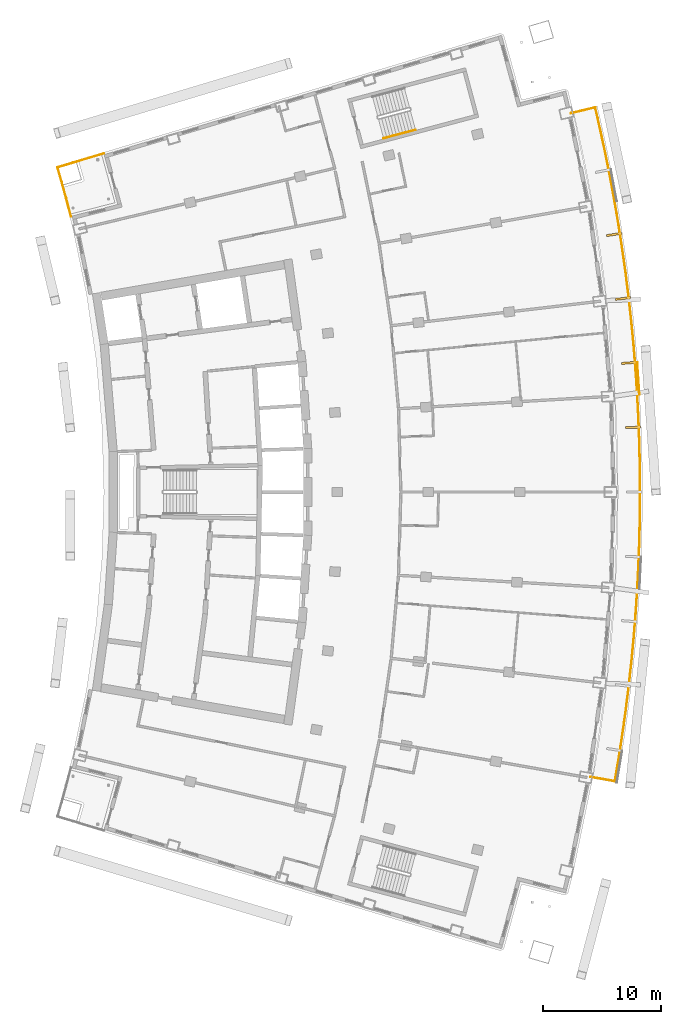
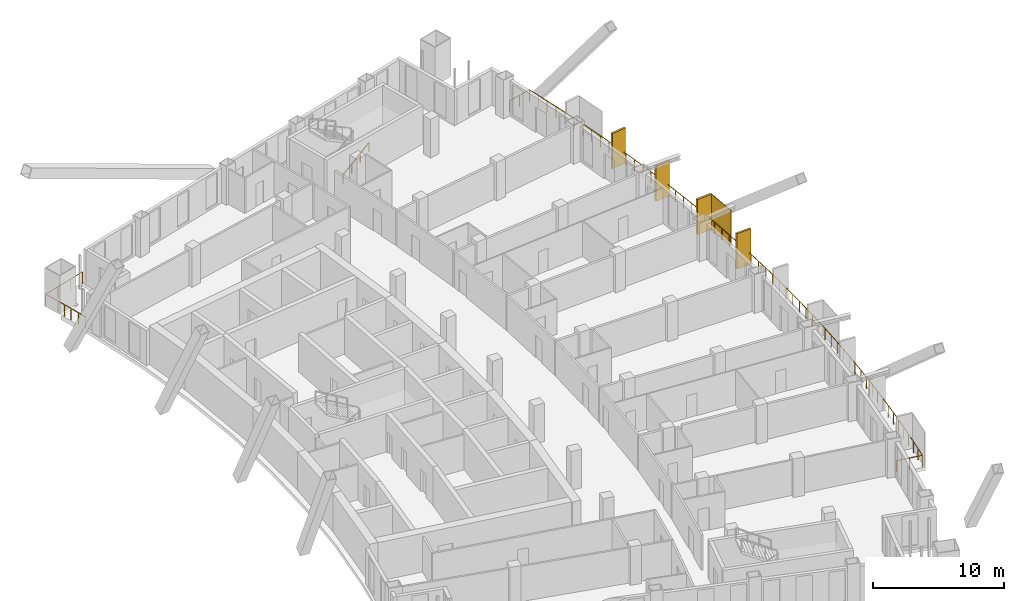
# One storey, part 18 of 19: 5 shading devices, 3 railings.
"""IFC4 building model written with IfcOpenShell, lengths in metres."""

from ifc_helpers import new_model, si_unit, direction, frame, origin, origin_2d, place, context, subcontext, project, spatial, rectangle, extrude, material, layer, layer_set, type_object, element, save


model = new_model("IFC4")

# Units and contexts
model_context = context("Model", 3, precision=1e-05, world=origin(), true_north=direction((0.0, 1.0)))
body_context = subcontext(model_context, "Body", "Model", "MODEL_VIEW")
ifc_project = project(units=[si_unit("LENGTHUNIT", "METRE"), si_unit("AREAUNIT", "SQUARE_METRE"), si_unit("VOLUMEUNIT", "CUBIC_METRE"), si_unit("PLANEANGLEUNIT", "RADIAN"), si_unit("MASSUNIT", "GRAM", prefix="KILO")], contexts=[model_context])

# Site, building, storey
site_placement = place(None, origin())
site = spatial("IfcSite", under=ifc_project, at=site_placement, CompositionType="ELEMENT")
building_placement = place(site_placement, origin())
building = spatial("IfcBuilding", under=site, at=building_placement, Name="Alderwake Tower", CompositionType="ELEMENT")
storey_placement = place(building_placement, frame((0.0, 0.0, 171.199951171875)))
storey = spatial("IfcBuildingStorey", under=building, at=storey_placement, Name="L42", CompositionType="ELEMENT", Elevation=171.199951171875)

# Railings
ifc_material_1 = material(Name="Stainless steel 316 rail and posts", Category="steel")
railing_type_1 = type_object("IfcRailingType", Name="Balcony guard 1100", PredefinedType="GUARDRAIL", material=ifc_material_1)
railing_1_placement = place(storey_placement, frame((57.2880859375, 36.826416015625, 0.0)))
element("IfcRailing", 1, at=railing_1_placement, inside=storey, type_object=railing_type_1, Name="Guard BF04", PredefinedType="GUARDRAIL", context=body_context, shape_type="SweptSolid", body=[
    extrude(rectangle(XDim=0.048095703125, YDim=0.048095703125, at=origin_2d()), frame((0.0, 0.0, 1.076171875), z_axis=(0.984840855066, -0.173460341844, 0.0), x_axis=(0.173460341844, 0.984840855066, 0.0)), (0.0, 0.0, 1.0), 2.099853515625),
    extrude(rectangle(XDim=0.048095703125, YDim=0.048095703125, at=origin_2d()), frame((2.068115234375, -0.3642578125, 1.076171875), z_axis=(0.166616540984, 0.98602176866, 0.0), x_axis=(-0.98602176866, 0.166616540984, 0.0)), (0.0, 0.0, 1.0), 1.96337890625),
    extrude(rectangle(XDim=0.048095703125, YDim=0.048095703125, at=origin_2d()), frame((2.395263671875, 1.57177734375, 1.076171875), z_axis=(0.152510602736, 0.988301834488, 0.0), x_axis=(-0.988301834488, 0.152510602736, 0.0)), (0.0, 0.0, 1.0), 2.0634765625),
    extrude(rectangle(XDim=0.048095703125, YDim=0.048095703125, at=origin_2d()), frame((2.7099609375, 3.611083984375, 1.076171875), z_axis=(0.13805839863, 0.99042409026, 0.0), x_axis=(-0.99042409026, 0.13805839863, 0.0)), (0.0, 0.0, 1.0), 2.063720703125),
    extrude(rectangle(XDim=0.048095703125, YDim=0.048095703125, at=origin_2d()), frame((2.994873046875, 5.655029296875, 1.076171875), z_axis=(0.123641547462, 0.992326945992, 0.0), x_axis=(-0.992326945992, 0.123641547462, 0.0)), (0.0, 0.0, 1.0), 2.0634765625),
    extrude(rectangle(XDim=0.048095703125, YDim=0.048095703125, at=origin_2d()), frame((3.25, 7.70263671875, 1.076171875), z_axis=(0.109197868393, 0.994020032765, 0.0), x_axis=(-0.994020032765, 0.109197868393, 0.0)), (0.0, 0.0, 1.0), 2.063720703125),
    extrude(rectangle(XDim=0.048095703125, YDim=0.048095703125, at=origin_2d()), frame((3.475341796875, 9.75390625, 1.076171875), z_axis=(0.094652754886, 0.995510349515, 0.0), x_axis=(-0.995510349515, 0.094652754886, 0.0)), (0.0, 0.0, 1.0), 2.0634765625),
    extrude(rectangle(XDim=0.048095703125, YDim=0.048095703125, at=origin_2d()), frame((3.670654296875, 11.80810546875, 1.076171875), z_axis=(0.08009789912, 0.996787001599, 0.0), x_axis=(-0.996787001599, 0.08009789912, 0.0)), (0.0, 0.0, 1.0), 2.0634765625),
    extrude(rectangle(XDim=0.048095703125, YDim=0.048095703125, at=origin_2d()), frame((3.8359375, 13.864990234375, 1.076171875), z_axis=(0.065545254579, 0.997849597686, 0.0), x_axis=(-0.997849597686, 0.065545254579, 0.0)), (0.0, 0.0, 1.0), 2.0634765625),
    extrude(rectangle(XDim=0.048095703125, YDim=0.048095703125, at=origin_2d()), frame((3.97119140625, 15.924072265625, 1.076171875), z_axis=(0.050993869739, 0.99869896628, 0.0), x_axis=(-0.99869896628, 0.050993869739, 0.0)), (0.0, 0.0, 1.0), 2.0634765625),
    extrude(rectangle(XDim=0.048095703125, YDim=0.048095703125, at=origin_2d()), frame((4.076416015625, 17.98486328125, 1.076171875), z_axis=(0.036438434606, 0.999335899727, 0.0), x_axis=(-0.999335899727, 0.036438434606, 0.0)), (0.0, 0.0, 1.0), 2.063720703125),
    extrude(rectangle(XDim=0.048095703125, YDim=0.048095703125, at=origin_2d()), frame((4.151611328125, 20.047119140625, 1.076171875), z_axis=(0.02200650366, 0.999757827575, 0.0), x_axis=(-0.999757827575, 0.02200650366, 0.0)), (0.0, 0.0, 1.0), 2.0634765625),
    extrude(rectangle(XDim=0.048095703125, YDim=0.048095703125, at=origin_2d()), frame((4.197021484375, 22.110107421875, 1.076171875), z_axis=(0.007217038732, 0.999973956837, 0.0), x_axis=(-0.999973956837, 0.007217038732, 0.0)), (0.0, 0.0, 1.0), 2.0634765625),
    extrude(rectangle(XDim=0.048095703125, YDim=0.048095703125, at=origin_2d()), frame((4.2119140625, 24.173583984375, 1.076171875), z_axis=(-0.007217038732, 0.999973956837, 0.0), x_axis=(-0.999973956837, -0.007217038732, 0.0)), (0.0, 0.0, 1.0), 2.0634765625),
    extrude(rectangle(XDim=0.048095703125, YDim=0.048095703125, at=origin_2d()), frame((4.197021484375, 26.237060546875, 1.076171875), z_axis=(-0.02200650366, 0.999757827575, 0.0), x_axis=(-0.999757827575, -0.02200650366, 0.0)), (0.0, 0.0, 1.0), 2.0634765625),
    extrude(rectangle(XDim=0.048095703125, YDim=0.048095703125, at=origin_2d()), frame((4.151611328125, 28.300048828125, 1.076171875), z_axis=(-0.036438434606, 0.999335899727, 0.0), x_axis=(-0.999335899727, -0.036438434606, 0.0)), (0.0, 0.0, 1.0), 2.063720703125),
    extrude(rectangle(XDim=0.048095703125, YDim=0.048095703125, at=origin_2d()), frame((4.076416015625, 30.3623046875, 1.076171875), z_axis=(-0.050993869739, 0.99869896628, 0.0), x_axis=(-0.99869896628, -0.050993869739, 0.0)), (0.0, 0.0, 1.0), 2.0634765625),
    extrude(rectangle(XDim=0.048095703125, YDim=0.048095703125, at=origin_2d()), frame((3.97119140625, 32.423095703125, 1.076171875), z_axis=(-0.065545254579, 0.997849597686, 0.0), x_axis=(-0.997849597686, -0.065545254579, 0.0)), (0.0, 0.0, 1.0), 2.0634765625),
    extrude(rectangle(XDim=0.048095703125, YDim=0.048095703125, at=origin_2d()), frame((3.8359375, 34.482177734375, 1.076171875), z_axis=(-0.08009789912, 0.996787001599, 0.0), x_axis=(-0.996787001599, -0.08009789912, 0.0)), (0.0, 0.0, 1.0), 2.0634765625),
    extrude(rectangle(XDim=0.048095703125, YDim=0.048095703125, at=origin_2d()), frame((3.670654296875, 36.5390625, 1.076171875), z_axis=(-0.094652754886, 0.995510349515, 0.0), x_axis=(-0.995510349515, -0.094652754886, 0.0)), (0.0, 0.0, 1.0), 2.0634765625),
    extrude(rectangle(XDim=0.048095703125, YDim=0.048095703125, at=origin_2d()), frame((3.475341796875, 38.59326171875, 1.076171875), z_axis=(-0.109197868393, 0.994020032765, 0.0), x_axis=(-0.994020032765, -0.109197868393, 0.0)), (0.0, 0.0, 1.0), 2.063720703125),
    extrude(rectangle(XDim=0.048095703125, YDim=0.048095703125, at=origin_2d()), frame((3.25, 40.64453125, 1.076171875), z_axis=(-0.123641547462, 0.992326945992, 0.0), x_axis=(-0.992326945992, -0.123641547462, 0.0)), (0.0, 0.0, 1.0), 2.0634765625),
    extrude(rectangle(XDim=0.048095703125, YDim=0.048095703125, at=origin_2d()), frame((2.994873046875, 42.692138671875, 1.076171875), z_axis=(-0.13805839863, 0.99042409026, 0.0), x_axis=(-0.99042409026, -0.13805839863, 0.0)), (0.0, 0.0, 1.0), 2.063720703125),
    extrude(rectangle(XDim=0.048095703125, YDim=0.048095703125, at=origin_2d()), frame((2.7099609375, 44.736083984375, 1.076171875), z_axis=(-0.152510602736, 0.988301834488, 0.0), x_axis=(-0.988301834488, -0.152510602736, 0.0)), (0.0, 0.0, 1.0), 2.0634765625),
    extrude(rectangle(XDim=0.048095703125, YDim=0.048095703125, at=origin_2d()), frame((2.395263671875, 46.775390625, 1.076171875), z_axis=(-0.166950324026, 0.985965308369, 0.0), x_axis=(-0.985965308369, -0.166950324026, 0.0)), (0.0, 0.0, 1.0), 2.0634765625),
    extrude(rectangle(XDim=0.048095703125, YDim=0.048095703125, at=origin_2d()), frame((2.05078125, 48.809814453125, 1.076171875), z_axis=(-0.181373216687, 0.983414336009, 0.0), x_axis=(-0.983414336009, -0.181373216687, 0.0)), (0.0, 0.0, 1.0), 2.0634765625),
    extrude(rectangle(XDim=0.048095703125, YDim=0.048095703125, at=origin_2d()), frame((1.676513671875, 50.839111328125, 1.076171875), z_axis=(-0.195570048473, 0.980689734901, 0.0), x_axis=(-0.980689734901, -0.195570048473, 0.0)), (0.0, 0.0, 1.0), 2.0634765625),
    extrude(rectangle(XDim=0.048095703125, YDim=0.048095703125, at=origin_2d()), frame((1.27294921875, 52.86279296875, 1.076171875), z_axis=(-0.209884586487, 0.97772616839, 0.0), x_axis=(-0.97772616839, -0.209884586487, 0.0)), (0.0, 0.0, 1.0), 2.0634765625),
    extrude(rectangle(XDim=0.048095703125, YDim=0.048095703125, at=origin_2d()), frame((0.83984375, 54.88037109375, 1.076171875), z_axis=(-0.223678856679, 0.974662900225, 0.0), x_axis=(-0.974662900225, -0.223678856679, 0.0)), (0.0, 0.0, 1.0), 1.963623046875),
    extrude(rectangle(XDim=0.048095703125, YDim=0.048095703125, at=origin_2d()), frame((0.400634765625, 56.794189453125, 1.076171875), z_axis=(-0.973063818564, -0.230535908269, 0.0), x_axis=(0.230535908269, -0.973063818564, 0.0)), (0.0, 0.0, 1.0), 2.10009765625),
    extrude(rectangle(XDim=0.0419921875, YDim=0.0419921875, at=origin_2d()), frame((0.0, 0.0, 0.0), z_axis=(0.0, 0.0, 1.0), x_axis=(0.984840855066, -0.173460341844, 0.0)), (0.0, 0.0, 1.0), 1.052001953125),
    extrude(rectangle(XDim=0.0419921875, YDim=0.0419921875, at=origin_2d()), frame((1.0341796875, -0.18212890625, 0.0), z_axis=(0.0, 0.0, 1.0), x_axis=(0.984840855066, -0.173460341844, 0.0)), (0.0, 0.0, 1.0), 1.052001953125),
    extrude(rectangle(XDim=0.0419921875, YDim=0.0419921875, at=origin_2d()), frame((2.068115234375, -0.3642578125, 0.0), z_axis=(0.0, 0.0, 1.0), x_axis=(0.166616540984, 0.98602176866, 0.0)), (0.0, 0.0, 1.0), 1.052001953125),
    extrude(rectangle(XDim=0.0419921875, YDim=0.0419921875, at=origin_2d()), frame((2.231689453125, 0.603759765625, 0.0), z_axis=(0.0, 0.0, 1.0), x_axis=(0.166616540984, 0.98602176866, 0.0)), (0.0, 0.0, 1.0), 1.052001953125),
    extrude(rectangle(XDim=0.0419921875, YDim=0.0419921875, at=origin_2d()), frame((2.395263671875, 1.57177734375, 0.0), z_axis=(0.0, 0.0, 1.0), x_axis=(0.152510602736, 0.988301834488, 0.0)), (0.0, 0.0, 1.0), 1.052001953125),
    extrude(rectangle(XDim=0.0419921875, YDim=0.0419921875, at=origin_2d()), frame((2.552734375, 2.59130859375, 0.0), z_axis=(0.0, 0.0, 1.0), x_axis=(0.152510602736, 0.988301834488, 0.0)), (0.0, 0.0, 1.0), 1.052001953125),
    extrude(rectangle(XDim=0.0419921875, YDim=0.0419921875, at=origin_2d()), frame((2.7099609375, 3.611083984375, 0.0), z_axis=(0.0, 0.0, 1.0), x_axis=(0.13805839863, 0.99042409026, 0.0)), (0.0, 0.0, 1.0), 1.052001953125),
    extrude(rectangle(XDim=0.0419921875, YDim=0.0419921875, at=origin_2d()), frame((2.8525390625, 4.633056640625, 0.0), z_axis=(0.0, 0.0, 1.0), x_axis=(0.13805839863, 0.99042409026, 0.0)), (0.0, 0.0, 1.0), 1.052001953125),
    extrude(rectangle(XDim=0.0419921875, YDim=0.0419921875, at=origin_2d()), frame((2.994873046875, 5.655029296875, 0.0), z_axis=(0.0, 0.0, 1.0), x_axis=(0.123641547462, 0.992326945992, 0.0)), (0.0, 0.0, 1.0), 1.052001953125),
    extrude(rectangle(XDim=0.0419921875, YDim=0.0419921875, at=origin_2d()), frame((3.12255859375, 6.6787109375, 0.0), z_axis=(0.0, 0.0, 1.0), x_axis=(0.123641547462, 0.992326945992, 0.0)), (0.0, 0.0, 1.0), 1.052001953125),
    extrude(rectangle(XDim=0.0419921875, YDim=0.0419921875, at=origin_2d()), frame((3.25, 7.70263671875, 0.0), z_axis=(0.0, 0.0, 1.0), x_axis=(0.109197868393, 0.994020032765, 0.0)), (0.0, 0.0, 1.0), 1.052001953125),
    extrude(rectangle(XDim=0.0419921875, YDim=0.0419921875, at=origin_2d()), frame((3.36279296875, 8.728271484375, 0.0), z_axis=(0.0, 0.0, 1.0), x_axis=(0.109197868393, 0.994020032765, 0.0)), (0.0, 0.0, 1.0), 1.052001953125),
    extrude(rectangle(XDim=0.0419921875, YDim=0.0419921875, at=origin_2d()), frame((3.475341796875, 9.75390625, 0.0), z_axis=(0.0, 0.0, 1.0), x_axis=(0.094652754886, 0.995510349515, 0.0)), (0.0, 0.0, 1.0), 1.052001953125),
    extrude(rectangle(XDim=0.0419921875, YDim=0.0419921875, at=origin_2d()), frame((3.572998046875, 10.781005859375, 0.0), z_axis=(0.0, 0.0, 1.0), x_axis=(0.094652754886, 0.995510349515, 0.0)), (0.0, 0.0, 1.0), 1.052001953125),
    extrude(rectangle(XDim=0.0419921875, YDim=0.0419921875, at=origin_2d()), frame((3.670654296875, 11.80810546875, 0.0), z_axis=(0.0, 0.0, 1.0), x_axis=(0.08009789912, 0.996787001599, 0.0)), (0.0, 0.0, 1.0), 1.052001953125),
    extrude(rectangle(XDim=0.0419921875, YDim=0.0419921875, at=origin_2d()), frame((3.75341796875, 12.83642578125, 0.0), z_axis=(0.0, 0.0, 1.0), x_axis=(0.08009789912, 0.996787001599, 0.0)), (0.0, 0.0, 1.0), 1.052001953125),
    extrude(rectangle(XDim=0.0419921875, YDim=0.0419921875, at=origin_2d()), frame((3.8359375, 13.864990234375, 0.0), z_axis=(0.0, 0.0, 1.0), x_axis=(0.065545254579, 0.997849597686, 0.0)), (0.0, 0.0, 1.0), 1.052001953125),
    extrude(rectangle(XDim=0.0419921875, YDim=0.0419921875, at=origin_2d()), frame((3.903564453125, 14.89453125, 0.0), z_axis=(0.0, 0.0, 1.0), x_axis=(0.065545254579, 0.997849597686, 0.0)), (0.0, 0.0, 1.0), 1.052001953125),
    extrude(rectangle(XDim=0.0419921875, YDim=0.0419921875, at=origin_2d()), frame((3.97119140625, 15.924072265625, 0.0), z_axis=(0.0, 0.0, 1.0), x_axis=(0.050993869739, 0.99869896628, 0.0)), (0.0, 0.0, 1.0), 1.052001953125),
    extrude(rectangle(XDim=0.0419921875, YDim=0.0419921875, at=origin_2d()), frame((4.02392578125, 16.95458984375, 0.0), z_axis=(0.0, 0.0, 1.0), x_axis=(0.050993869739, 0.99869896628, 0.0)), (0.0, 0.0, 1.0), 1.052001953125),
    extrude(rectangle(XDim=0.0419921875, YDim=0.0419921875, at=origin_2d()), frame((4.076416015625, 17.98486328125, 0.0), z_axis=(0.0, 0.0, 1.0), x_axis=(0.036438434606, 0.999335899727, 0.0)), (0.0, 0.0, 1.0), 1.052001953125),
    extrude(rectangle(XDim=0.0419921875, YDim=0.0419921875, at=origin_2d()), frame((4.114013671875, 19.01611328125, 0.0), z_axis=(0.0, 0.0, 1.0), x_axis=(0.036438434606, 0.999335899727, 0.0)), (0.0, 0.0, 1.0), 1.052001953125),
    extrude(rectangle(XDim=0.0419921875, YDim=0.0419921875, at=origin_2d()), frame((4.151611328125, 20.047119140625, 0.0), z_axis=(0.0, 0.0, 1.0), x_axis=(0.02200650366, 0.999757827575, 0.0)), (0.0, 0.0, 1.0), 1.052001953125),
    extrude(rectangle(XDim=0.0419921875, YDim=0.0419921875, at=origin_2d()), frame((4.17431640625, 21.07861328125, 0.0), z_axis=(0.0, 0.0, 1.0), x_axis=(0.02200650366, 0.999757827575, 0.0)), (0.0, 0.0, 1.0), 1.052001953125),
    extrude(rectangle(XDim=0.0419921875, YDim=0.0419921875, at=origin_2d()), frame((4.197021484375, 22.110107421875, 0.0), z_axis=(0.0, 0.0, 1.0), x_axis=(0.007217038732, 0.999973956837, 0.0)), (0.0, 0.0, 1.0), 1.052001953125),
    extrude(rectangle(XDim=0.0419921875, YDim=0.0419921875, at=origin_2d()), frame((4.20458984375, 23.141845703125, 0.0), z_axis=(0.0, 0.0, 1.0), x_axis=(0.007217038732, 0.999973956837, 0.0)), (0.0, 0.0, 1.0), 1.052001953125),
    extrude(rectangle(XDim=0.0419921875, YDim=0.0419921875, at=origin_2d()), frame((4.2119140625, 24.173583984375, 0.0), z_axis=(0.0, 0.0, 1.0), x_axis=(-0.007217038732, 0.999973956837, 0.0)), (0.0, 0.0, 1.0), 1.052001953125),
    extrude(rectangle(XDim=0.0419921875, YDim=0.0419921875, at=origin_2d()), frame((4.20458984375, 25.205322265625, 0.0), z_axis=(0.0, 0.0, 1.0), x_axis=(-0.007217038732, 0.999973956837, 0.0)), (0.0, 0.0, 1.0), 1.052001953125),
    extrude(rectangle(XDim=0.0419921875, YDim=0.0419921875, at=origin_2d()), frame((4.197021484375, 26.237060546875, 0.0), z_axis=(0.0, 0.0, 1.0), x_axis=(-0.02200650366, 0.999757827575, 0.0)), (0.0, 0.0, 1.0), 1.052001953125),
    extrude(rectangle(XDim=0.0419921875, YDim=0.0419921875, at=origin_2d()), frame((4.17431640625, 27.2685546875, 0.0), z_axis=(0.0, 0.0, 1.0), x_axis=(-0.02200650366, 0.999757827575, 0.0)), (0.0, 0.0, 1.0), 1.052001953125),
    extrude(rectangle(XDim=0.0419921875, YDim=0.0419921875, at=origin_2d()), frame((4.151611328125, 28.300048828125, 0.0), z_axis=(0.0, 0.0, 1.0), x_axis=(-0.036438434606, 0.999335899727, 0.0)), (0.0, 0.0, 1.0), 1.052001953125),
    extrude(rectangle(XDim=0.0419921875, YDim=0.0419921875, at=origin_2d()), frame((4.114013671875, 29.3310546875, 0.0), z_axis=(0.0, 0.0, 1.0), x_axis=(-0.036438434606, 0.999335899727, 0.0)), (0.0, 0.0, 1.0), 1.052001953125),
    extrude(rectangle(XDim=0.0419921875, YDim=0.0419921875, at=origin_2d()), frame((4.076416015625, 30.3623046875, 0.0), z_axis=(0.0, 0.0, 1.0), x_axis=(-0.050993869739, 0.99869896628, 0.0)), (0.0, 0.0, 1.0), 1.052001953125),
    extrude(rectangle(XDim=0.0419921875, YDim=0.0419921875, at=origin_2d()), frame((4.02392578125, 31.392578125, 0.0), z_axis=(0.0, 0.0, 1.0), x_axis=(-0.050993869739, 0.99869896628, 0.0)), (0.0, 0.0, 1.0), 1.052001953125),
    extrude(rectangle(XDim=0.0419921875, YDim=0.0419921875, at=origin_2d()), frame((3.97119140625, 32.423095703125, 0.0), z_axis=(0.0, 0.0, 1.0), x_axis=(-0.065545254579, 0.997849597686, 0.0)), (0.0, 0.0, 1.0), 1.052001953125),
    extrude(rectangle(XDim=0.0419921875, YDim=0.0419921875, at=origin_2d()), frame((3.903564453125, 33.45263671875, 0.0), z_axis=(0.0, 0.0, 1.0), x_axis=(-0.065545254579, 0.997849597686, 0.0)), (0.0, 0.0, 1.0), 1.052001953125),
    extrude(rectangle(XDim=0.0419921875, YDim=0.0419921875, at=origin_2d()), frame((3.8359375, 34.482177734375, 0.0), z_axis=(0.0, 0.0, 1.0), x_axis=(-0.08009789912, 0.996787001599, 0.0)), (0.0, 0.0, 1.0), 1.052001953125),
    extrude(rectangle(XDim=0.0419921875, YDim=0.0419921875, at=origin_2d()), frame((3.75341796875, 35.5107421875, 0.0), z_axis=(0.0, 0.0, 1.0), x_axis=(-0.08009789912, 0.996787001599, 0.0)), (0.0, 0.0, 1.0), 1.052001953125),
    extrude(rectangle(XDim=0.0419921875, YDim=0.0419921875, at=origin_2d()), frame((3.670654296875, 36.5390625, 0.0), z_axis=(0.0, 0.0, 1.0), x_axis=(-0.094652754886, 0.995510349515, 0.0)), (0.0, 0.0, 1.0), 1.052001953125),
    extrude(rectangle(XDim=0.0419921875, YDim=0.0419921875, at=origin_2d()), frame((3.572998046875, 37.566162109375, 0.0), z_axis=(0.0, 0.0, 1.0), x_axis=(-0.094652754886, 0.995510349515, 0.0)), (0.0, 0.0, 1.0), 1.052001953125),
    extrude(rectangle(XDim=0.0419921875, YDim=0.0419921875, at=origin_2d()), frame((3.475341796875, 38.59326171875, 0.0), z_axis=(0.0, 0.0, 1.0), x_axis=(-0.109197868393, 0.994020032765, 0.0)), (0.0, 0.0, 1.0), 1.052001953125),
    extrude(rectangle(XDim=0.0419921875, YDim=0.0419921875, at=origin_2d()), frame((3.36279296875, 39.618896484375, 0.0), z_axis=(0.0, 0.0, 1.0), x_axis=(-0.109197868393, 0.994020032765, 0.0)), (0.0, 0.0, 1.0), 1.052001953125),
    extrude(rectangle(XDim=0.0419921875, YDim=0.0419921875, at=origin_2d()), frame((3.25, 40.64453125, 0.0), z_axis=(0.0, 0.0, 1.0), x_axis=(-0.123641547462, 0.992326945992, 0.0)), (0.0, 0.0, 1.0), 1.052001953125),
    extrude(rectangle(XDim=0.0419921875, YDim=0.0419921875, at=origin_2d()), frame((3.12255859375, 41.66845703125, 0.0), z_axis=(0.0, 0.0, 1.0), x_axis=(-0.123641547462, 0.992326945992, 0.0)), (0.0, 0.0, 1.0), 1.052001953125),
    extrude(rectangle(XDim=0.0419921875, YDim=0.0419921875, at=origin_2d()), frame((2.994873046875, 42.692138671875, 0.0), z_axis=(0.0, 0.0, 1.0), x_axis=(-0.13805839863, 0.99042409026, 0.0)), (0.0, 0.0, 1.0), 1.052001953125),
    extrude(rectangle(XDim=0.0419921875, YDim=0.0419921875, at=origin_2d()), frame((2.8525390625, 43.714111328125, 0.0), z_axis=(0.0, 0.0, 1.0), x_axis=(-0.13805839863, 0.99042409026, 0.0)), (0.0, 0.0, 1.0), 1.052001953125),
    extrude(rectangle(XDim=0.0419921875, YDim=0.0419921875, at=origin_2d()), frame((2.7099609375, 44.736083984375, 0.0), z_axis=(0.0, 0.0, 1.0), x_axis=(-0.152510602736, 0.988301834488, 0.0)), (0.0, 0.0, 1.0), 1.052001953125),
    extrude(rectangle(XDim=0.0419921875, YDim=0.0419921875, at=origin_2d()), frame((2.552734375, 45.755859375, 0.0), z_axis=(0.0, 0.0, 1.0), x_axis=(-0.152510602736, 0.988301834488, 0.0)), (0.0, 0.0, 1.0), 1.052001953125),
    extrude(rectangle(XDim=0.0419921875, YDim=0.0419921875, at=origin_2d()), frame((2.395263671875, 46.775390625, 0.0), z_axis=(0.0, 0.0, 1.0), x_axis=(-0.166950324026, 0.985965308369, 0.0)), (0.0, 0.0, 1.0), 1.052001953125),
    extrude(rectangle(XDim=0.0419921875, YDim=0.0419921875, at=origin_2d()), frame((2.22314453125, 47.79248046875, 0.0), z_axis=(0.0, 0.0, 1.0), x_axis=(-0.166950324026, 0.985965308369, 0.0)), (0.0, 0.0, 1.0), 1.052001953125),
    extrude(rectangle(XDim=0.0419921875, YDim=0.0419921875, at=origin_2d()), frame((2.05078125, 48.809814453125, 0.0), z_axis=(0.0, 0.0, 1.0), x_axis=(-0.181373216687, 0.983414336009, 0.0)), (0.0, 0.0, 1.0), 1.052001953125),
    extrude(rectangle(XDim=0.0419921875, YDim=0.0419921875, at=origin_2d()), frame((1.86376953125, 49.824462890625, 0.0), z_axis=(0.0, 0.0, 1.0), x_axis=(-0.181373216687, 0.983414336009, 0.0)), (0.0, 0.0, 1.0), 1.052001953125),
    extrude(rectangle(XDim=0.0419921875, YDim=0.0419921875, at=origin_2d()), frame((1.676513671875, 50.839111328125, 0.0), z_axis=(0.0, 0.0, 1.0), x_axis=(-0.195570048473, 0.980689734901, 0.0)), (0.0, 0.0, 1.0), 1.052001953125),
    extrude(rectangle(XDim=0.0419921875, YDim=0.0419921875, at=origin_2d()), frame((1.474609375, 51.85107421875, 0.0), z_axis=(0.0, 0.0, 1.0), x_axis=(-0.195570048473, 0.980689734901, 0.0)), (0.0, 0.0, 1.0), 1.052001953125),
    extrude(rectangle(XDim=0.0419921875, YDim=0.0419921875, at=origin_2d()), frame((1.27294921875, 52.86279296875, 0.0), z_axis=(0.0, 0.0, 1.0), x_axis=(-0.209884586487, 0.97772616839, 0.0)), (0.0, 0.0, 1.0), 1.052001953125),
    extrude(rectangle(XDim=0.0419921875, YDim=0.0419921875, at=origin_2d()), frame((1.056396484375, 53.87158203125, 0.0), z_axis=(0.0, 0.0, 1.0), x_axis=(-0.209884586487, 0.97772616839, 0.0)), (0.0, 0.0, 1.0), 1.052001953125),
    extrude(rectangle(XDim=0.0419921875, YDim=0.0419921875, at=origin_2d()), frame((0.83984375, 54.88037109375, 0.0), z_axis=(0.0, 0.0, 1.0), x_axis=(-0.223678856679, 0.974662900225, 0.0)), (0.0, 0.0, 1.0), 1.052001953125),
    extrude(rectangle(XDim=0.0419921875, YDim=0.0419921875, at=origin_2d()), frame((0.6201171875, 55.83740234375, 0.0), z_axis=(0.0, 0.0, 1.0), x_axis=(-0.223678856679, 0.974662900225, 0.0)), (0.0, 0.0, 1.0), 1.052001953125),
    extrude(rectangle(XDim=0.0419921875, YDim=0.0419921875, at=origin_2d()), frame((0.400634765625, 56.794189453125, 0.0), z_axis=(0.0, 0.0, 1.0), x_axis=(-0.973063818564, -0.230535908269, 0.0)), (0.0, 0.0, 1.0), 1.052001953125),
    extrude(rectangle(XDim=0.0419921875, YDim=0.0419921875, at=origin_2d()), frame((-0.62109375, 56.55224609375, 0.0), z_axis=(0.0, 0.0, 1.0), x_axis=(-0.973063818564, -0.230535908269, 0.0)), (0.0, 0.0, 1.0), 1.052001953125),
    extrude(rectangle(XDim=0.0419921875, YDim=0.0419921875, at=origin_2d()), frame((-1.642822265625, 56.31005859375, 0.0), z_axis=(0.0, 0.0, 1.0), x_axis=(-0.973063818564, -0.230535908269, 0.0)), (0.0, 0.0, 1.0), 1.052001953125),
])
railing_2_placement = place(storey_placement, frame((13.210693359375, 84.387451171875, 0.0)))
element("IfcRailing", 2, at=railing_2_placement, inside=storey, type_object=railing_type_1, Name="Guard terrace RN", PredefinedType="GUARDRAIL", context=body_context, shape_type="SweptSolid", body=[
    extrude(rectangle(XDim=0.048095703125, YDim=0.048095703125, at=origin_2d()), frame((0.0, 0.0, 1.076171875), z_axis=(-0.251385381433, 0.967887075026, 0.0), x_axis=(-0.967887075026, -0.251385381433, 0.0)), (0.0, 0.0, 1.0), 1.6015625),
    extrude(rectangle(XDim=0.048095703125, YDim=0.048095703125, at=origin_2d()), frame((-0.402587890625, 1.550048828125, 1.076171875), z_axis=(-0.266520638672, 0.963829211615, 0.0), x_axis=(-0.963829211615, -0.266520638672, 0.0)), (0.0, 0.0, 1.0), 1.401611328125),
    extrude(rectangle(XDim=0.048095703125, YDim=0.048095703125, at=origin_2d()), frame((-0.776123046875, 2.90087890625, 1.076171875), z_axis=(-0.280093650878, 0.959972680204, 0.0), x_axis=(-0.959972680204, -0.280093650878, 0.0)), (0.0, 0.0, 1.0), 1.30126953125),
    extrude(rectangle(XDim=0.048095703125, YDim=0.048095703125, at=origin_2d()), frame((-1.140625, 4.150146484375, 1.076171875), z_axis=(0.958066871889, 0.286544706789, 0.0), x_axis=(-0.286544706789, 0.958066871889, 0.0)), (0.0, 0.0, 1.0), 4.099853515625),
    extrude(rectangle(XDim=0.0419921875, YDim=0.0419921875, at=origin_2d()), frame((0.0, 0.0, 0.0), z_axis=(0.0, 0.0, 1.0), x_axis=(-0.251385381433, 0.967887075026, 0.0)), (0.0, 0.0, 1.0), 1.052001953125),
    extrude(rectangle(XDim=0.0419921875, YDim=0.0419921875, at=origin_2d()), frame((-0.201171875, 0.77490234375, 0.0), z_axis=(0.0, 0.0, 1.0), x_axis=(-0.251385381433, 0.967887075026, 0.0)), (0.0, 0.0, 1.0), 1.052001953125),
    extrude(rectangle(XDim=0.0419921875, YDim=0.0419921875, at=origin_2d()), frame((-0.402587890625, 1.550048828125, 0.0), z_axis=(0.0, 0.0, 1.0), x_axis=(-0.266520638672, 0.963829211615, 0.0)), (0.0, 0.0, 1.0), 1.052001953125),
    extrude(rectangle(XDim=0.0419921875, YDim=0.0419921875, at=origin_2d()), frame((-0.58935546875, 2.2255859375, 0.0), z_axis=(0.0, 0.0, 1.0), x_axis=(-0.266520638672, 0.963829211615, 0.0)), (0.0, 0.0, 1.0), 1.052001953125),
    extrude(rectangle(XDim=0.0419921875, YDim=0.0419921875, at=origin_2d()), frame((-0.776123046875, 2.90087890625, 0.0), z_axis=(0.0, 0.0, 1.0), x_axis=(-0.280093650878, 0.959972680204, 0.0)), (0.0, 0.0, 1.0), 1.052001953125),
    extrude(rectangle(XDim=0.0419921875, YDim=0.0419921875, at=origin_2d()), frame((-1.140625, 4.150146484375, 0.0), z_axis=(0.0, 0.0, 1.0), x_axis=(0.958066871889, 0.286544706789, 0.0)), (0.0, 0.0, 1.0), 1.052001953125),
    extrude(rectangle(XDim=0.0419921875, YDim=0.0419921875, at=origin_2d()), frame((0.168701171875, 4.541748046875, 0.0), z_axis=(0.0, 0.0, 1.0), x_axis=(0.958066871889, 0.286544706789, 0.0)), (0.0, 0.0, 1.0), 1.052001953125),
    extrude(rectangle(XDim=0.0419921875, YDim=0.0419921875, at=origin_2d()), frame((1.47802734375, 4.933349609375, 0.0), z_axis=(0.0, 0.0, 1.0), x_axis=(0.958066871889, 0.286544706789, 0.0)), (0.0, 0.0, 1.0), 1.052001953125),
    extrude(rectangle(XDim=0.0419921875, YDim=0.0419921875, at=origin_2d()), frame((2.787353515625, 5.324951171875, 0.0), z_axis=(0.0, 0.0, 1.0), x_axis=(0.958066871889, 0.286544706789, 0.0)), (0.0, 0.0, 1.0), 1.052001953125),
])

# Shading devices
ifc_material_2 = material(Name="Bronze anodised aluminium", Category="aluminium")
ifc_layer_1 = layer(ifc_material_2, 0.179931640625)
ifc_layer_set_1 = layer_set([ifc_layer_1], Name="Facade fin 1300")
shading_device_type_1 = type_object("IfcShadingDeviceType", Name="Facade fin 1300", PredefinedType="USERDEFINED", material=ifc_layer_set_1)
for number, where, z_axis, x_axis, name in (
    (3, (60.893310546875, 66.4833984375, 0.0), (0.0, 0.0, 1.0), (0.999243494356, 0.038890088543, 0.0), "Fin"),
    (4, (60.573486328125, 71.958740234375, 0.0), (0.0, 0.0, 1.0), (0.996975122026, 0.077721335943, 0.0), "Fin"),
    (5, (60.041015625, 77.41748046875, 0.0), (0.0, 0.0, 1.0), (0.993198315083, 0.116434990084, 0.0), "Fin"),
    (6, (59.29638671875, 82.851318359375, 0.0), (0.0, 0.0, 1.0), (0.987918787879, 0.154972476771, 0.0), "Fin"),
):
    element("IfcShadingDevice", number, at=place(storey_placement, frame(where, z_axis=z_axis, x_axis=x_axis)), inside=storey, type_object=shading_device_type_1, Name=name, ObjectType="FIN", PredefinedType="USERDEFINED", context=body_context, shape_type="SweptSolid", body=[
        extrude(rectangle(XDim=1.300048828125, YDim=0.179931640625, at=origin_2d()), origin(), (0.0, 0.0, 1.0), 3.280029296875),
    ])
ifc_material_3 = material(Name="Perforated bronze anodised aluminium", Category="aluminium")
ifc_layer_2 = layer(ifc_material_3, 0.050048828125)
ifc_layer_set_2 = layer_set([ifc_layer_2], Name="Perforated screen panel")
shading_device_type_2 = type_object("IfcShadingDeviceType", Name="Perforated screen panel", PredefinedType="USERDEFINED", material=ifc_layer_set_2)
shading_device_placement = place(storey_placement, frame((61.34033203125, 70.633056640625, 0.0), z_axis=(0.0, 0.0, 1.0), x_axis=(0.997685465774, 0.067997877779, 0.0)))
element("IfcShadingDevice", 7, at=shading_device_placement, inside=storey, type_object=shading_device_type_2, Name="Screen panel", ObjectType="SCREEN", PredefinedType="USERDEFINED", context=body_context, shape_type="SweptSolid", body=[
    extrude(rectangle(XDim=0.050048828125, YDim=2.7626953125, at=origin_2d()), origin(), (0.0, 0.0, 1.0), 3.280029296875),
])

# Railing
ifc_material_4 = material(Name="Stainless steel handrail", Category="steel")
railing_type_2 = type_object("IfcRailingType", Name="Stair handrail 900", PredefinedType="HANDRAIL", material=ifc_material_4)
railing_3_placement = place(storey_placement, frame((39.731689453125, 91.002685546875, 0.16357421875)))
element("IfcRailing", 8, at=railing_3_placement, inside=storey, type_object=railing_type_2, Name="L42 ST-A stair handrail 1", PredefinedType="HANDRAIL", context=body_context, shape_type="SweptSolid", body=[
    extrude(rectangle(XDim=0.048095703125, YDim=0.048095703125, at=origin_2d()), frame((0.0, 0.0, 0.8759765625), z_axis=(0.834258940753, 0.22222815314, 0.504605457487), x_axis=(-0.257402139082, 0.966304371715, 0.0)), (0.0, 0.0, 1.0), 3.2431640625),
    extrude(rectangle(XDim=0.0419921875, YDim=0.0419921875, at=origin_2d()), frame((0.0, 0.0, 0.0), z_axis=(0.0, 0.0, 1.0), x_axis=(0.966304371715, 0.257402139082, 0.0)), (0.0, 0.0, 1.0), 0.851806640625),
    extrude(rectangle(XDim=0.0419921875, YDim=0.0419921875, at=origin_2d()), frame((0.90185546875, 0.240234375, 0.54541015625), z_axis=(0.0, 0.0, 1.0), x_axis=(0.966304371715, 0.257402139082, 0.0)), (0.0, 0.0, 1.0), 0.851806640625),
    extrude(rectangle(XDim=0.0419921875, YDim=0.0419921875, at=origin_2d()), frame((1.8037109375, 0.48046875, 1.091064453125), z_axis=(0.0, 0.0, 1.0), x_axis=(0.966304371715, 0.257402139082, 0.0)), (0.0, 0.0, 1.0), 0.851806640625),
    extrude(rectangle(XDim=0.0419921875, YDim=0.0419921875, at=origin_2d()), frame((2.70556640625, 0.720703125, 1.636474609375), z_axis=(0.0, 0.0, 1.0), x_axis=(0.966304371715, 0.257402139082, 0.0)), (0.0, 0.0, 1.0), 0.851806640625),
])

save(model, "model.ifc")
